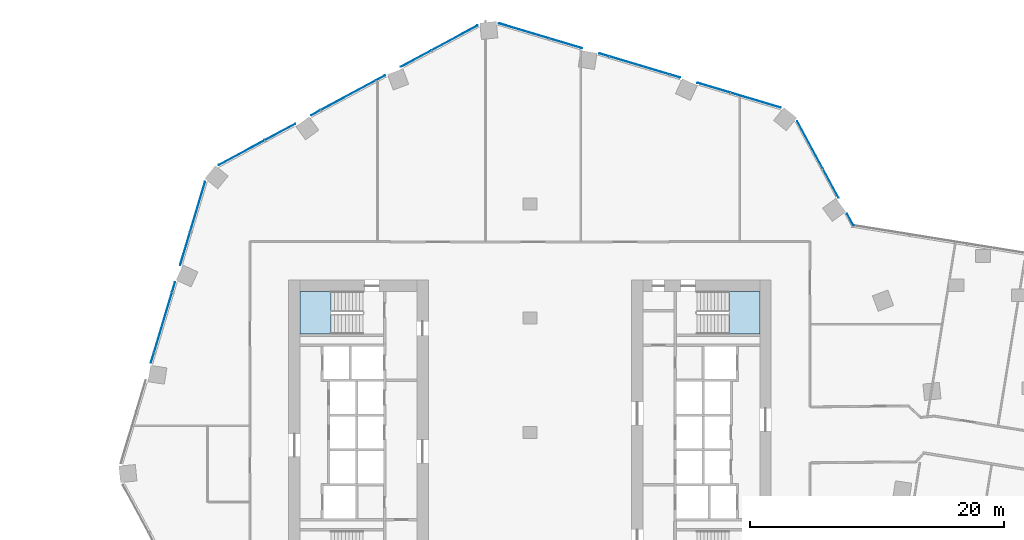
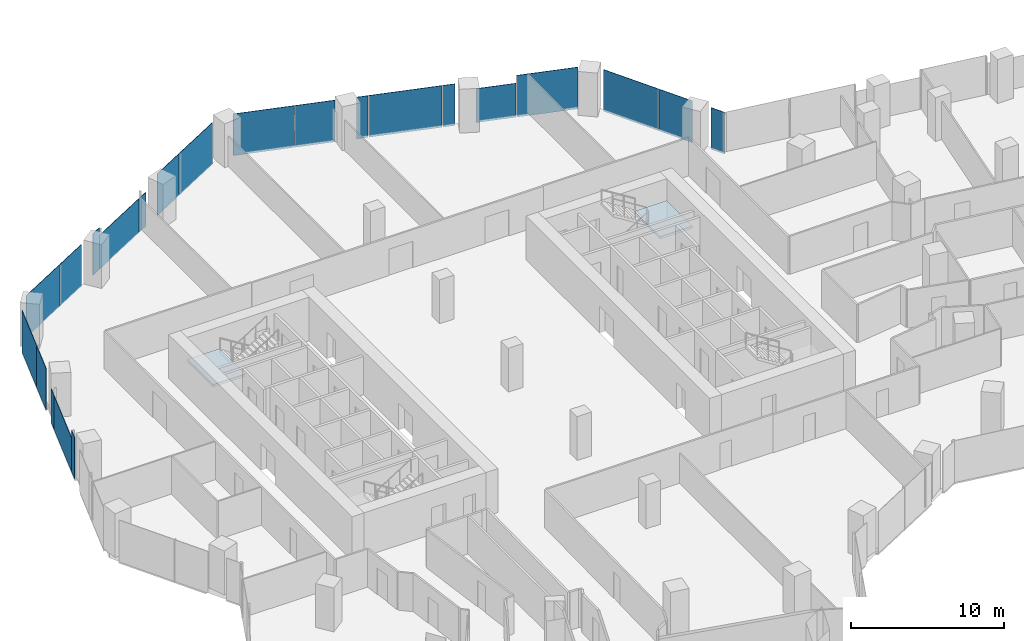
# One storey, part 23 of 34: 22 plates, 2 slabs, 6 elements without a shape of their own.
"""IFC4 building model written with IfcOpenShell, lengths in metres."""

from ifc_helpers import new_model, si_unit, direction, frame, origin, origin_2d, place, context, subcontext, project, spatial, polyline, rectangle, outline, extrude, material, layer, layer_set, type_object, element, aggregate, save


model = new_model("IFC4")

# Units and contexts
model_context = context("Model", 3, precision=1e-05, world=origin(), true_north=direction((0.0, 1.0)))
body_context = subcontext(model_context, "Body", "Model", "MODEL_VIEW")
ifc_project = project(units=[si_unit("LENGTHUNIT", "METRE"), si_unit("AREAUNIT", "SQUARE_METRE"), si_unit("VOLUMEUNIT", "CUBIC_METRE"), si_unit("PLANEANGLEUNIT", "RADIAN"), si_unit("MASSUNIT", "GRAM", prefix="KILO")], contexts=[model_context])

# Site, building, storey
site_placement = place(None, origin())
site = spatial("IfcSite", under=ifc_project, at=site_placement, CompositionType="ELEMENT")
building_placement = place(site_placement, origin())
building = spatial("IfcBuilding", under=site, at=building_placement, Name="Orlundy Tower", CompositionType="ELEMENT")
storey_placement = place(building_placement, frame((0.0, 0.0, 137.699951171875)))
storey = spatial("IfcBuildingStorey", under=building, at=storey_placement, Name="L35", CompositionType="ELEMENT", Elevation=137.699951171875)

# Curtain wall, plates
ifc_material_1 = material(Name="Aluminium bronze anodised", Category="aluminium")
curtain_wall_type = type_object("IfcCurtainWallType", Name="CW1 wall", PredefinedType="NOTDEFINED", material=ifc_material_1)
curtain_wall_1_placement = place(storey_placement, origin())
curtain_wall_1 = element("IfcCurtainWall", 1, at=curtain_wall_1_placement, inside=storey, type_object=curtain_wall_type, Name="CW1 run 02", PredefinedType="NOTDEFINED")
ifc_material_2 = material(Name="Tinted glass", Category="glass")
ifc_layer_1 = layer(ifc_material_2, 0.031982421875)
ifc_layer_set_1 = layer_set([ifc_layer_1], Name="CW1 glass panel 32")
plate_type = type_object("IfcPlateType", Name="CW1 glass panel 32", PredefinedType="CURTAIN_PANEL", material=ifc_layer_set_1)
plate_1_placement = place(storey_placement, frame((-29.731201171875, 5.86474609375, -0.280029296875), z_axis=(0.0, 0.0, 1.0), x_axis=(0.286816257107, 0.957985612971, 0.0)))
plate_1 = element("IfcPlate", 2, at=plate_1_placement, type_object=plate_type, Name="CW1 panel", PredefinedType="CURTAIN_PANEL", context=body_context, shape_type="SweptSolid", body=[
    extrude(rectangle(XDim=0.796630859375, YDim=0.031982421875, at=origin_2d()), origin(), (0.0, 0.0, 1.0), 3.330078125),
])
plate_2_placement = place(storey_placement, frame((-28.897216796875, 8.651123046875, -0.280029296875), z_axis=(0.0, 0.0, 1.0), x_axis=(0.286816257107, 0.957985612971, 0.0)))
plate_2 = element("IfcPlate", 3, at=plate_2_placement, type_object=plate_type, Name="CW1 panel", PredefinedType="CURTAIN_PANEL", context=body_context, shape_type="SweptSolid", body=[
    extrude(rectangle(XDim=4.92041015625, YDim=0.031982421875, at=origin_2d()), origin(), (0.0, 0.0, 1.0), 2.7138671875),
])
plate_3_placement = place(storey_placement, frame((-28.06298828125, 11.4375, -0.280029296875), z_axis=(0.0, 0.0, 1.0), x_axis=(0.286816257107, 0.957985612971, 0.0)))
plate_3 = element("IfcPlate", 4, at=plate_3_placement, type_object=plate_type, Name="CW1 panel", PredefinedType="CURTAIN_PANEL", context=body_context, shape_type="SweptSolid", body=[
    extrude(rectangle(XDim=0.796875, YDim=0.031982421875, at=origin_2d()), origin(), (0.0, 0.0, 1.0), 2.7138671875),
])
plate_4_placement = place(storey_placement, frame((-27.1513671875, 14.481689453125, -0.280029296875), z_axis=(0.0, 0.0, 1.0), x_axis=(0.286816257107, 0.957985612971, 0.0)))
plate_4 = element("IfcPlate", 5, at=plate_4_placement, type_object=plate_type, Name="CW1 panel", PredefinedType="CURTAIN_PANEL", context=body_context, shape_type="SweptSolid", body=[
    extrude(rectangle(XDim=2.6884765625, YDim=0.031982421875, at=origin_2d()), origin(), (0.0, 0.0, 1.0), 3.330078125),
])
plate_5_placement = place(storey_placement, frame((-26.16455078125, 17.7783203125, -0.280029296875), z_axis=(0.0, 0.0, 1.0), x_axis=(0.286816257107, 0.957985612971, 0.0)))
plate_5 = element("IfcPlate", 6, at=plate_5_placement, type_object=plate_type, Name="CW1 panel", PredefinedType="CURTAIN_PANEL", context=body_context, shape_type="SweptSolid", body=[
    extrude(rectangle(XDim=4.09375, YDim=0.031982421875, at=origin_2d()), origin(), (0.0, 0.0, 1.0), 3.330078125),
])
aggregate(curtain_wall_1, [plate_1, plate_2, plate_3, plate_4, plate_5])

curtain_wall_2_placement = place(storey_placement, origin())
curtain_wall_2 = element("IfcCurtainWall", 7, at=curtain_wall_2_placement, inside=storey, type_object=curtain_wall_type, Name="CW1 run 03", PredefinedType="NOTDEFINED")
plate_6_placement = place(storey_placement, frame((-22.701904296875, 22.0283203125, -0.280029296875), z_axis=(0.0, 0.0, 1.0), x_axis=(0.880191882793, 0.47461800373, 0.0)))
plate_6 = element("IfcPlate", 8, at=plate_6_placement, type_object=plate_type, Name="CW1 panel", PredefinedType="CURTAIN_PANEL", context=body_context, shape_type="SweptSolid", body=[
    extrude(rectangle(XDim=4.09326171875, YDim=0.031982421875, at=origin_2d()), origin(), (0.0, 0.0, 1.0), 3.330078125),
])
plate_7_placement = place(storey_placement, frame((-19.67138671875, 23.662353515625, -0.280029296875), z_axis=(0.0, 0.0, 1.0), x_axis=(0.880191882793, 0.47461800373, 0.0)))
plate_7 = element("IfcPlate", 9, at=plate_7_placement, type_object=plate_type, Name="CW1 panel", PredefinedType="CURTAIN_PANEL", context=body_context, shape_type="SweptSolid", body=[
    extrude(rectangle(XDim=2.69287109375, YDim=0.031982421875, at=origin_2d()), origin(), (0.0, 0.0, 1.0), 3.330078125),
])
plate_8_placement = place(storey_placement, frame((-16.8759765625, 25.169921875, -0.280029296875), z_axis=(0.0, 0.0, 1.0), x_axis=(0.880191882793, 0.47461800373, 0.0)))
plate_8 = element("IfcPlate", 10, at=plate_8_placement, type_object=plate_type, Name="CW1 panel", PredefinedType="CURTAIN_PANEL", context=body_context, shape_type="SweptSolid", body=[
    extrude(rectangle(XDim=0.79638671875, YDim=0.031982421875, at=origin_2d()), origin(), (0.0, 0.0, 1.0), 3.330078125),
])
plate_9_placement = place(storey_placement, frame((-14.31591796875, 26.55029296875, -0.280029296875), z_axis=(0.0, 0.0, 1.0), x_axis=(0.880191882793, 0.47461800373, 0.0)))
plate_9 = element("IfcPlate", 11, at=plate_9_placement, type_object=plate_type, Name="CW1 panel", PredefinedType="CURTAIN_PANEL", context=body_context, shape_type="SweptSolid", body=[
    extrude(rectangle(XDim=4.920654296875, YDim=0.031982421875, at=origin_2d()), origin(), (0.0, 0.0, 1.0), 2.7138671875),
])
plate_10_placement = place(storey_placement, frame((-11.755615234375, 27.930908203125, -0.280029296875), z_axis=(0.0, 0.0, 1.0), x_axis=(0.880191882793, 0.47461800373, 0.0)))
plate_10 = element("IfcPlate", 12, at=plate_10_placement, type_object=plate_type, Name="CW1 panel", PredefinedType="CURTAIN_PANEL", context=body_context, shape_type="SweptSolid", body=[
    extrude(rectangle(XDim=0.79638671875, YDim=0.031982421875, at=origin_2d()), origin(), (0.0, 0.0, 1.0), 2.7138671875),
])
plate_11_placement = place(storey_placement, frame((-8.9609375, 29.437744140625, -0.280029296875), z_axis=(0.0, 0.0, 1.0), x_axis=(0.880191882793, 0.47461800373, 0.0)))
plate_11 = element("IfcPlate", 13, at=plate_11_placement, type_object=plate_type, Name="CW1 panel", PredefinedType="CURTAIN_PANEL", context=body_context, shape_type="SweptSolid", body=[
    extrude(rectangle(XDim=2.69482421875, YDim=0.031982421875, at=origin_2d()), origin(), (0.0, 0.0, 1.0), 3.330078125),
])
plate_12_placement = place(storey_placement, frame((-5.929443359375, 31.072509765625, -0.280029296875), z_axis=(0.0, 0.0, 1.0), x_axis=(0.880191882793, 0.47461800373, 0.0)))
plate_12 = element("IfcPlate", 14, at=plate_12_placement, type_object=plate_type, Name="CW1 panel", PredefinedType="CURTAIN_PANEL", context=body_context, shape_type="SweptSolid", body=[
    extrude(rectangle(XDim=4.09375, YDim=0.031982421875, at=origin_2d()), origin(), (0.0, 0.0, 1.0), 3.330078125),
])
aggregate(curtain_wall_2, [plate_6, plate_7, plate_8, plate_9, plate_10, plate_11, plate_12])

curtain_wall_3_placement = place(storey_placement, origin())
curtain_wall_3 = element("IfcCurtainWall", 15, at=curtain_wall_3_placement, inside=storey, type_object=curtain_wall_type, Name="CW1 run 04", PredefinedType="NOTDEFINED")
plate_13_placement = place(storey_placement, frame((-0.47607421875, 31.629638671875, -0.280029296875), z_axis=(0.0, 0.0, 1.0), x_axis=(0.957985612971, -0.286816257107, 0.0)))
plate_13 = element("IfcPlate", 16, at=plate_13_placement, type_object=plate_type, Name="CW1 panel", PredefinedType="CURTAIN_PANEL", context=body_context, shape_type="SweptSolid", body=[
    extrude(rectangle(XDim=4.09326171875, YDim=0.031982421875, at=origin_2d()), origin(), (0.0, 0.0, 1.0), 3.330078125),
])
plate_14_placement = place(storey_placement, frame((2.822998046875, 30.64208984375, -0.280029296875), z_axis=(0.0, 0.0, 1.0), x_axis=(0.957985612971, -0.286816257107, 0.0)))
plate_14 = element("IfcPlate", 17, at=plate_14_placement, type_object=plate_type, Name="CW1 panel", PredefinedType="CURTAIN_PANEL", context=body_context, shape_type="SweptSolid", body=[
    extrude(rectangle(XDim=2.69384765625, YDim=0.031982421875, at=origin_2d()), origin(), (0.0, 0.0, 1.0), 3.330078125),
])
plate_15_placement = place(storey_placement, frame((5.86474609375, 29.731201171875, -0.280029296875), z_axis=(0.0, 0.0, 1.0), x_axis=(0.957985612971, -0.286816257107, 0.0)))
plate_15 = element("IfcPlate", 18, at=plate_15_placement, type_object=plate_type, Name="CW1 panel", PredefinedType="CURTAIN_PANEL", context=body_context, shape_type="SweptSolid", body=[
    extrude(rectangle(XDim=0.796630859375, YDim=0.031982421875, at=origin_2d()), origin(), (0.0, 0.0, 1.0), 3.330078125),
])
plate_16_placement = place(storey_placement, frame((8.651123046875, 28.897216796875, -0.280029296875), z_axis=(0.0, 0.0, 1.0), x_axis=(0.957985612971, -0.286816257107, 0.0)))
plate_16 = element("IfcPlate", 19, at=plate_16_placement, type_object=plate_type, Name="CW1 panel", PredefinedType="CURTAIN_PANEL", context=body_context, shape_type="SweptSolid", body=[
    extrude(rectangle(XDim=4.92041015625, YDim=0.031982421875, at=origin_2d()), origin(), (0.0, 0.0, 1.0), 3.330078125),
])
plate_17_placement = place(storey_placement, frame((11.4375, 28.06298828125, -0.280029296875), z_axis=(0.0, 0.0, 1.0), x_axis=(0.957985612971, -0.286816257107, 0.0)))
plate_17 = element("IfcPlate", 20, at=plate_17_placement, type_object=plate_type, Name="CW1 panel", PredefinedType="CURTAIN_PANEL", context=body_context, shape_type="SweptSolid", body=[
    extrude(rectangle(XDim=0.796875, YDim=0.031982421875, at=origin_2d()), origin(), (0.0, 0.0, 1.0), 3.330078125),
])
plate_18_placement = place(storey_placement, frame((14.481689453125, 27.1513671875, -0.280029296875), z_axis=(0.0, 0.0, 1.0), x_axis=(0.957985612971, -0.286816257107, 0.0)))
plate_18 = element("IfcPlate", 21, at=plate_18_placement, type_object=plate_type, Name="CW1 panel", PredefinedType="CURTAIN_PANEL", context=body_context, shape_type="SweptSolid", body=[
    extrude(rectangle(XDim=2.6884765625, YDim=0.031982421875, at=origin_2d()), origin(), (0.0, 0.0, 1.0), 2.7138671875),
])
plate_19_placement = place(storey_placement, frame((17.7783203125, 26.16455078125, -0.280029296875), z_axis=(0.0, 0.0, 1.0), x_axis=(0.957985612971, -0.286816257107, 0.0)))
plate_19 = element("IfcPlate", 22, at=plate_19_placement, type_object=plate_type, Name="CW1 panel", PredefinedType="CURTAIN_PANEL", context=body_context, shape_type="SweptSolid", body=[
    extrude(rectangle(XDim=4.09375, YDim=0.031982421875, at=origin_2d()), origin(), (0.0, 0.0, 1.0), 3.330078125),
])
aggregate(curtain_wall_3, [plate_13, plate_14, plate_15, plate_16, plate_17, plate_18, plate_19])

curtain_wall_4_placement = place(storey_placement, origin())
curtain_wall_4 = element("IfcCurtainWall", 23, at=curtain_wall_4_placement, inside=storey, type_object=curtain_wall_type, Name="CW1 run 05", PredefinedType="NOTDEFINED")
plate_20_placement = place(storey_placement, frame((22.0634765625, 22.636962890625, -0.280029296875), z_axis=(0.0, 0.0, 1.0), x_axis=(0.4746239814, -0.880188659482, 0.0)))
plate_20 = element("IfcPlate", 24, at=plate_20_placement, type_object=plate_type, Name="CW1 panel", PredefinedType="CURTAIN_PANEL", context=body_context, shape_type="SweptSolid", body=[
    extrude(rectangle(XDim=4.2412109375, YDim=0.031982421875, at=origin_2d()), origin(), (0.0, 0.0, 1.0), 3.330078125),
])
plate_21_placement = place(storey_placement, frame((23.69775390625, 19.606201171875, -0.280029296875), z_axis=(0.0, 0.0, 1.0), x_axis=(0.4746239814, -0.880188659482, 0.0)))
plate_21 = element("IfcPlate", 25, at=plate_21_placement, type_object=plate_type, Name="CW1 panel", PredefinedType="CURTAIN_PANEL", context=body_context, shape_type="SweptSolid", body=[
    extrude(rectangle(XDim=2.545166015625, YDim=0.031982421875, at=origin_2d()), origin(), (0.0, 0.0, 1.0), 3.330078125),
])
plate_22_placement = place(storey_placement, frame((25.22705078125, 16.770263671875, -0.280029296875), z_axis=(0.0, 0.0, 1.0), x_axis=(0.4746239814, -0.880188659482, 0.0)))
plate_22 = element("IfcPlate", 26, at=plate_22_placement, type_object=plate_type, Name="CW1 panel", PredefinedType="CURTAIN_PANEL", context=body_context, shape_type="SweptSolid", body=[
    extrude(rectangle(XDim=1.03662109375, YDim=0.031982421875, at=origin_2d()), origin(), (0.0, 0.0, 1.0), 3.330078125),
])
aggregate(curtain_wall_4, [plate_20, plate_21, plate_22])

# Stair, slab
ifc_material_3 = material(Name="Concrete C50/60", Category="concrete")
stair_type = type_object("IfcStairType", Name="Exit Stair 20 risers", PredefinedType="HALF_TURN_STAIR", material=ifc_material_3)
stair_1_placement = place(storey_placement, origin())
stair_1 = element("IfcStair", 27, at=stair_1_placement, inside=storey, type_object=stair_type, Name="L35 Exit Stair ST-W1", PredefinedType="HALF_TURN_STAIR")
ifc_material_4 = material(Name="Concrete C50/60", Category="concrete")
ifc_layer_2 = layer(ifc_material_4, 0.199951171875)
ifc_layer_set_2 = layer_set([ifc_layer_2], Name="Exit Stair Landing")
slab_type = type_object("IfcSlabType", Name="Exit Stair Landing", PredefinedType="LANDING", material=ifc_layer_set_2)
slab_1_placement = place(storey_placement, frame((0.0, 0.0, 1.550048828125)))
slab_1 = element("IfcSlab", 28, at=slab_1_placement, type_object=slab_type, Name="ST-W1 landing 1", PredefinedType="LANDING", context=body_context, shape_type="SweptSolid", body=[
    extrude(outline(polyline([(-15.659912109375, 11.10009765625), (-18.10009765625, 11.10009765625), (-18.10009765625, 7.75), (-15.659912109375, 7.75), (-15.659912109375, 11.10009765625)])), origin(), (0.0, 0.0, 1.0), 0.199951171875),
])
aggregate(stair_1, [slab_1])

stair_2_placement = place(storey_placement, origin())
stair_2 = element("IfcStair", 29, at=stair_2_placement, inside=storey, type_object=stair_type, Name="L35 Exit Stair ST-E2", PredefinedType="HALF_TURN_STAIR")
slab_2_placement = place(storey_placement, frame((0.0, 0.0, 1.550048828125)))
slab_2 = element("IfcSlab", 30, at=slab_2_placement, type_object=slab_type, Name="ST-E2 landing 1", PredefinedType="LANDING", context=body_context, shape_type="SweptSolid", body=[
    extrude(outline(polyline([(15.659912109375, 7.75), (18.10009765625, 7.75), (18.10009765625, 11.10009765625), (15.659912109375, 11.10009765625), (15.659912109375, 7.75)])), origin(), (0.0, 0.0, 1.0), 0.199951171875),
])
aggregate(stair_2, [slab_2])

save(model, "model.ifc")
